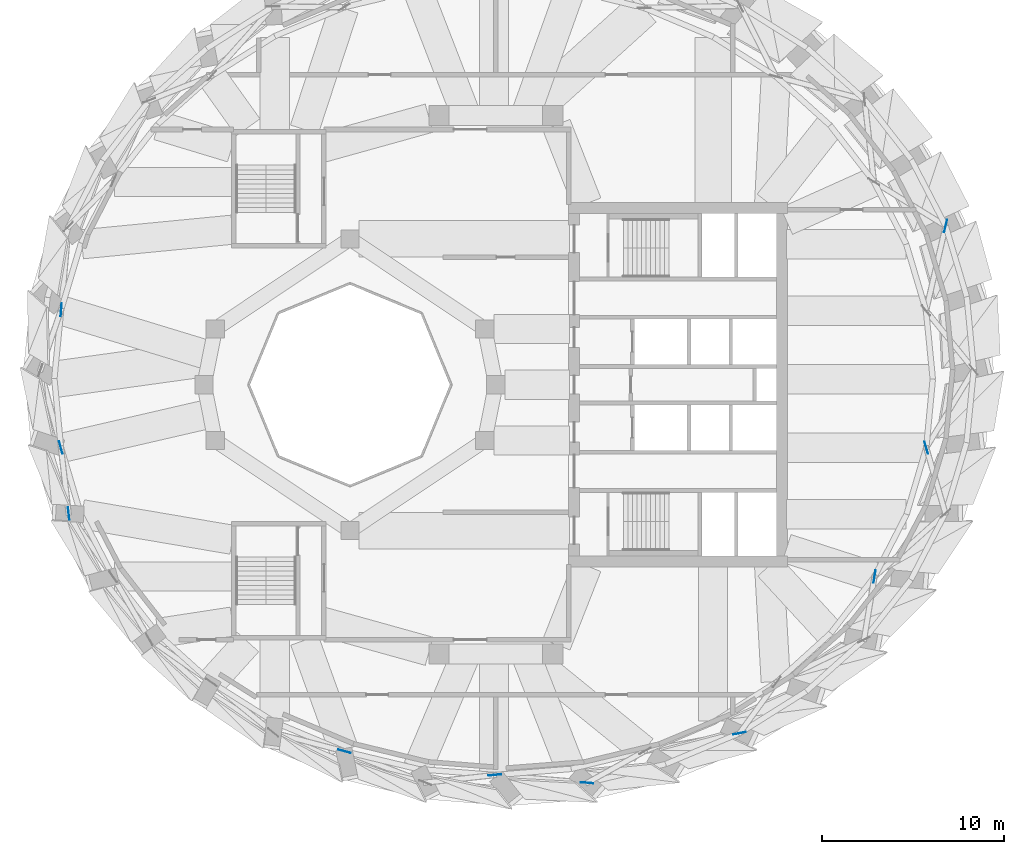
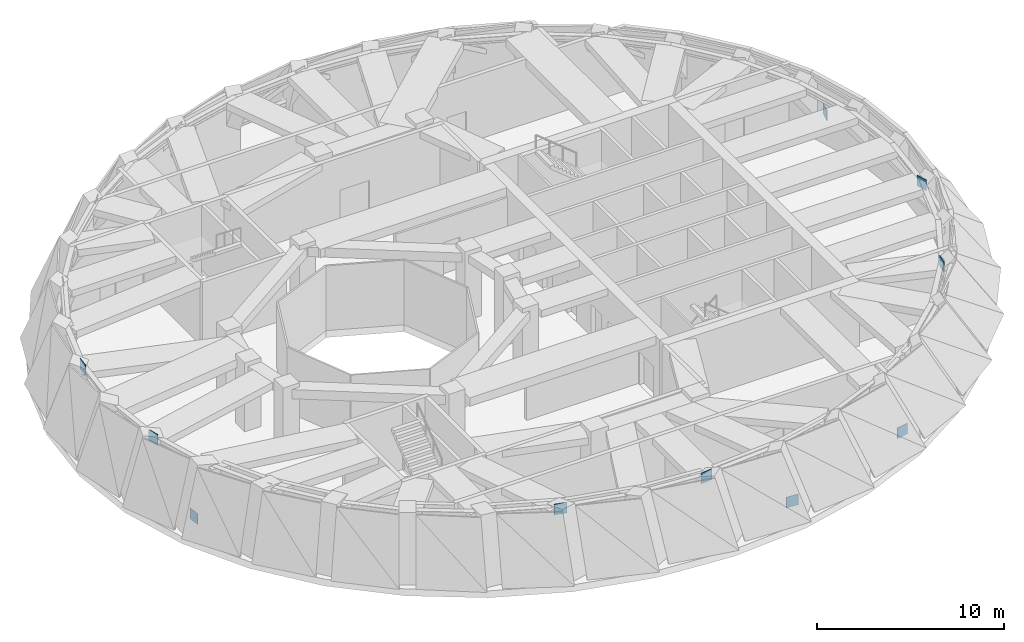
# One storey, part 11 of 14: 10 discrete accessories.
"""IFC4 building model written with IfcOpenShell, lengths in metres."""

from ifc_helpers import new_model, si_unit, direction, frame, origin, origin_2d, place, context, subcontext, project, spatial, rectangle, extrude, material, type_object, element, save


model = new_model("IFC4")

# Units and contexts
model_context = context("Model", 3, precision=1e-05, world=origin(), true_north=direction((0.0, 1.0)))
body_context = subcontext(model_context, "Body", "Model", "MODEL_VIEW")
ifc_project = project(units=[si_unit("LENGTHUNIT", "METRE"), si_unit("AREAUNIT", "SQUARE_METRE"), si_unit("VOLUMEUNIT", "CUBIC_METRE"), si_unit("PLANEANGLEUNIT", "RADIAN"), si_unit("MASSUNIT", "GRAM", prefix="KILO")], contexts=[model_context])

# Site, building, storey
site_placement = place(None, origin())
site = spatial("IfcSite", under=ifc_project, at=site_placement, CompositionType="ELEMENT")
building_placement = place(site_placement, origin())
building = spatial("IfcBuilding", under=site, at=building_placement, Name="Taillehof Tower", CompositionType="ELEMENT")
storey_placement = place(building_placement, frame((0.0, 0.0, 228.800048828125)))
storey = spatial("IfcBuildingStorey", under=building, at=storey_placement, Name="L65", CompositionType="ELEMENT", Elevation=228.800048828125)

# Discrete accessories
ifc_material = material(Name="Steel S460M", Category="steel")
discrete_accessory_type = type_object("IfcDiscreteAccessoryType", Name="Steel gusset plate", PredefinedType="BRACKET", material=ifc_material)
for number, where, z_axis, x_axis, name in (
    (1, (-23.860107421875, -3.43994140625, 3.669921875), (0.0, 0.0, 1.0), (0.256807256196, -0.966462639301, 0.0), "Gusset plate 274"),
    (2, (-23.840087890625, 4.110107421875, 3.669921875), (0.0, 0.0, 1.0), (-0.086917540037, -0.996215509433, 0.0), "Gusset plate 275"),
    (3, (-23.429931640625, -7.06005859375, 0.5498046875), (0.0, 0.0, 1.0), (0.115713840899, -0.993282591725, 0.0), "Gusset plate 277"),
    (4, (-8.31005859375, -20.110107421875, 3.669921875), (0.0, 0.0, 1.0), (0.967397835432, -0.253261580193, 0.0), "Gusset plate 287"),
    (5, (-0.050048828125, -21.409912109375, 3.669921875), (0.0, 0.0, 1.0), (0.994123222571, 0.1082544149, 0.0), "Gusset plate 291"),
    (6, (5.010009765625, -21.840087890625, 0.5498046875), (0.0, 0.0, 1.0), (0.996450966125, -0.084175246414, 0.0), "Gusset plate 292"),
    (7, (13.3701171875, -19.1201171875, 0.5498046875), (0.0, 0.0, 1.0), (0.982963590455, 0.183800380412, 0.0), "Gusset plate 296"),
    (8, (20.780029296875, -10.530029296875, 3.669921875), (0.0, 0.0, 1.0), (0.164136918687, 0.986437566156, 0.0), "Gusset plate 303"),
    (9, (23.6201171875, -3.4599609375, 3.669921875), (0.0, 0.0, 1.0), (-0.279713395389, 0.960083546594, 0.0), "Gusset plate 305"),
    (10, (24.679931640625, 8.7099609375, 0.5498046875), (0.0, 0.0, 1.0), (0.226131103061, 0.974096876203, 0.0), "Gusset plate 307"),
):
    element("IfcDiscreteAccessory", number, at=place(storey_placement, frame(where, z_axis=z_axis, x_axis=x_axis)), inside=storey, type_object=discrete_accessory_type, Name=name, PredefinedType="BRACKET", context=body_context, shape_type="SweptSolid", body=[
        extrude(rectangle(XDim=0.699951171875, YDim=0.02490234375, at=origin_2d()), origin(), (0.0, 0.0, 1.0), 0.699951171875),
    ])

save(model, "model.ifc")
